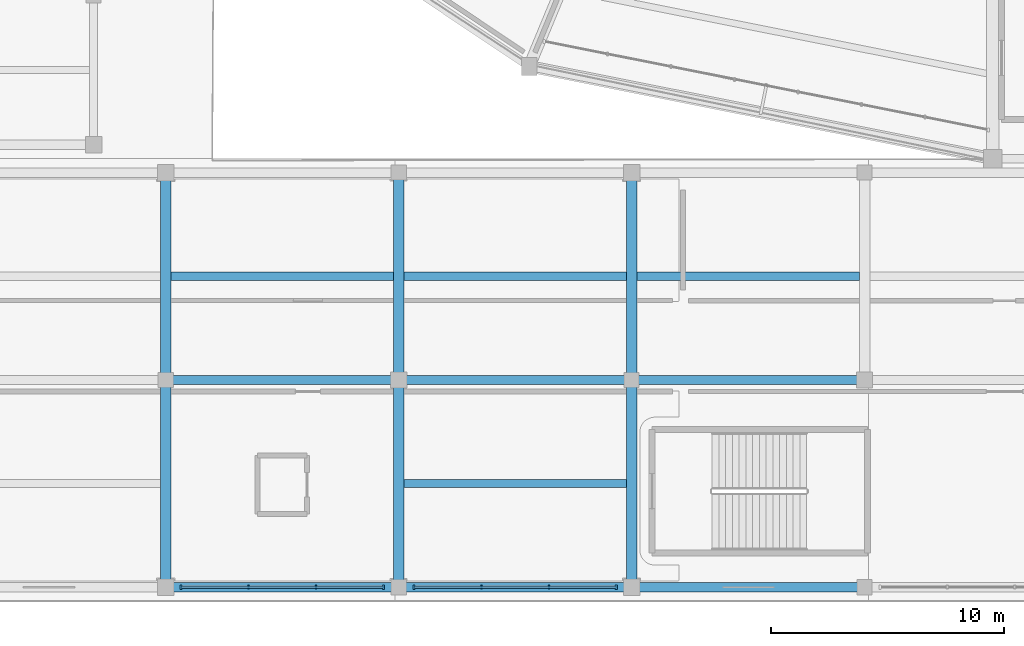
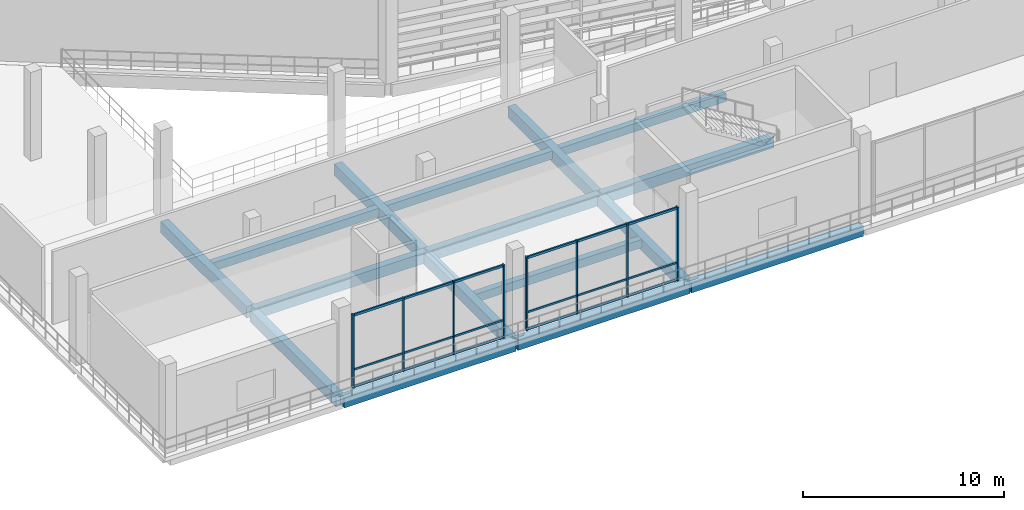
# One storey, part 13 of 127: 16 beams, 14 members, 2 elements without a shape of their own.
"""IFC4 building model written with IfcOpenShell, lengths in metres."""

from ifc_helpers import new_model, si_unit, direction, frame, origin, origin_2d, place, context, subcontext, project, spatial, rectangle, extrude, material, material_profile, profile_set, type_object, element, aggregate, save


model = new_model("IFC4")

# Units and contexts
model_context = context("Model", 3, precision=1e-05, world=origin(), true_north=direction((0.0, 1.0)))
body_context = subcontext(model_context, "Body", "Model", "MODEL_VIEW")
ifc_project = project(units=[si_unit("LENGTHUNIT", "METRE"), si_unit("AREAUNIT", "SQUARE_METRE"), si_unit("VOLUMEUNIT", "CUBIC_METRE"), si_unit("PLANEANGLEUNIT", "RADIAN"), si_unit("MASSUNIT", "GRAM", prefix="KILO")], contexts=[model_context])

# Site, building, storey
site_placement = place(None, origin())
site = spatial("IfcSite", under=ifc_project, at=site_placement, CompositionType="ELEMENT")
building_placement = place(site_placement, origin())
building = spatial("IfcBuilding", under=site, at=building_placement, Name="Candeia Ridge Stadium", CompositionType="ELEMENT")
storey_placement = place(building_placement, frame((0.0, 0.0, 10.800048828125)))
storey = spatial("IfcBuildingStorey", under=building, at=storey_placement, Name="L02", CompositionType="ELEMENT", Elevation=10.800048828125)

# Curtain wall, members
ifc_material_1 = material(Name="Aluminium Anodized Warm Bronze", Category="aluminium")
curtain_wall_type = type_object("IfcCurtainWallType", Name="Museum & Boulevard Showcase Curtain Wall", PredefinedType="NOTDEFINED", material=ifc_material_1)
curtain_wall_1_placement = place(storey_placement, origin())
curtain_wall_1 = element("IfcCurtainWall", 1, at=curtain_wall_1_placement, inside=storey, type_object=curtain_wall_type, Name="Unitised curtain wall CW-WNG-L02-121", PredefinedType="NOTDEFINED")
ifc_material_profile_1 = material_profile(ifc_material_1, rectangle(XDim=0.090087890625, YDim=0.179931640625, at=origin_2d()), Name="CWM-90x180", Category="aluminium")
ifc_profile_set_1 = profile_set([ifc_material_profile_1], Name="Aluminium Anodized Warm Bronze")
member_type_1 = type_object("IfcMemberType", Name="Curtain Wall Primary Mullion 90x180", PredefinedType="MULLION", material=ifc_profile_set_1)
member_1_placement = place(storey_placement, frame((36.159912109375, 0.60009765625, 0.0), z_axis=(0.0, 0.0, 1.0), x_axis=(1.0, 0.0, 0.0)))
member_1 = element("IfcMember", 2, at=member_1_placement, type_object=member_type_1, Name="Curtain wall mullion CW-WNG-L02-121-M0", PredefinedType="MULLION", context=body_context, shape_type="SweptSolid", body=[
    extrude(rectangle(XDim=0.090087890625, YDim=0.179931640625, at=origin_2d()), origin(), (0.0, 0.0, 1.0), 4.48486328125),
])
member_2_placement = place(storey_placement, frame((44.840087890625, 0.60009765625, 0.0), z_axis=(0.0, 0.0, 1.0), x_axis=(1.0, 0.0, 0.0)))
member_2 = element("IfcMember", 3, at=member_2_placement, type_object=member_type_1, Name="Curtain wall mullion CW-WNG-L02-121-M3", PredefinedType="MULLION", context=body_context, shape_type="SweptSolid", body=[
    extrude(rectangle(XDim=0.090087890625, YDim=0.179931640625, at=origin_2d()), origin(), (0.0, 0.0, 1.0), 4.48486328125),
])

curtain_wall_2_placement = place(storey_placement, origin())
curtain_wall_2 = element("IfcCurtainWall", 4, at=curtain_wall_2_placement, inside=storey, type_object=curtain_wall_type, Name="Unitised curtain wall CW-WNG-L02-122", PredefinedType="NOTDEFINED")
member_3_placement = place(storey_placement, frame((46.159912109375, 0.60009765625, 0.0), z_axis=(0.0, 0.0, 1.0), x_axis=(1.0, 0.0, 0.0)))
member_3 = element("IfcMember", 5, at=member_3_placement, type_object=member_type_1, Name="Curtain wall mullion CW-WNG-L02-122-M0", PredefinedType="MULLION", context=body_context, shape_type="SweptSolid", body=[
    extrude(rectangle(XDim=0.090087890625, YDim=0.179931640625, at=origin_2d()), origin(), (0.0, 0.0, 1.0), 4.48486328125),
])
member_4_placement = place(storey_placement, frame((54.840087890625, 0.60009765625, 0.0), z_axis=(0.0, 0.0, 1.0), x_axis=(1.0, 0.0, 0.0)))
member_4 = element("IfcMember", 6, at=member_4_placement, type_object=member_type_1, Name="Curtain wall mullion CW-WNG-L02-122-M3", PredefinedType="MULLION", context=body_context, shape_type="SweptSolid", body=[
    extrude(rectangle(XDim=0.090087890625, YDim=0.179931640625, at=origin_2d()), origin(), (0.0, 0.0, 1.0), 4.48486328125),
])

# Member
ifc_material_profile_2 = material_profile(ifc_material_1, rectangle(XDim=0.074951171875, YDim=0.14990234375, at=origin_2d()), Name="CWM-75x150", Category="aluminium")
ifc_profile_set_2 = profile_set([ifc_material_profile_2], Name="Aluminium Anodized Warm Bronze")
member_type_2 = type_object("IfcMemberType", Name="Curtain Wall Secondary Mullion 75x150", PredefinedType="MULLION", material=ifc_profile_set_2)
member_5_placement = place(storey_placement, frame((39.05322265625, 0.60009765625, 0.0), z_axis=(0.0, 0.0, 1.0), x_axis=(1.0, 0.0, 0.0)))
member_5 = element("IfcMember", 7, at=member_5_placement, type_object=member_type_2, Name="Curtain wall mullion CW-WNG-L02-121-M1", PredefinedType="MULLION", context=body_context, shape_type="SweptSolid", body=[
    extrude(rectangle(XDim=0.074951171875, YDim=0.14990234375, at=origin_2d()), origin(), (0.0, 0.0, 1.0), 4.48486328125),
])

member_6_placement = place(storey_placement, frame((41.94677734375, 0.60009765625, 0.0), z_axis=(0.0, 0.0, 1.0), x_axis=(1.0, 0.0, 0.0)))
member_6 = element("IfcMember", 8, at=member_6_placement, type_object=member_type_2, Name="Curtain wall mullion CW-WNG-L02-121-M2", PredefinedType="MULLION", context=body_context, shape_type="SweptSolid", body=[
    extrude(rectangle(XDim=0.074951171875, YDim=0.14990234375, at=origin_2d()), origin(), (0.0, 0.0, 1.0), 4.48486328125),
])

member_7_placement = place(storey_placement, frame((49.05322265625, 0.60009765625, 0.0), z_axis=(0.0, 0.0, 1.0), x_axis=(1.0, 0.0, 0.0)))
member_7 = element("IfcMember", 9, at=member_7_placement, type_object=member_type_2, Name="Curtain wall mullion CW-WNG-L02-122-M1", PredefinedType="MULLION", context=body_context, shape_type="SweptSolid", body=[
    extrude(rectangle(XDim=0.074951171875, YDim=0.14990234375, at=origin_2d()), origin(), (0.0, 0.0, 1.0), 4.48486328125),
])

member_8_placement = place(storey_placement, frame((51.94677734375, 0.60009765625, 0.0), z_axis=(0.0, 0.0, 1.0), x_axis=(1.0, 0.0, 0.0)))
member_8 = element("IfcMember", 10, at=member_8_placement, type_object=member_type_2, Name="Curtain wall mullion CW-WNG-L02-122-M2", PredefinedType="MULLION", context=body_context, shape_type="SweptSolid", body=[
    extrude(rectangle(XDim=0.074951171875, YDim=0.14990234375, at=origin_2d()), origin(), (0.0, 0.0, 1.0), 4.48486328125),
])

ifc_material_profile_3 = material_profile(ifc_material_1, rectangle(XDim=0.074951171875, YDim=0.110107421875, at=origin_2d()), Name="CWT-75x110", Category="aluminium")
ifc_profile_set_3 = profile_set([ifc_material_profile_3], Name="Aluminium Anodized Warm Bronze")
member_type_3 = type_object("IfcMemberType", Name="Curtain Wall Secondary Transom 75x110", PredefinedType="USERDEFINED", material=ifc_profile_set_3)
member_9_placement = place(storey_placement, frame((36.159912109375, 0.60009765625, 1.099853515625), z_axis=(1.0, 0.0, 0.0), x_axis=(0.0, 1.0, 0.0)))
member_9 = element("IfcMember", 11, at=member_9_placement, type_object=member_type_3, Name="Curtain wall transom CW-WNG-L02-121-T1", ObjectType="TRANSOM", PredefinedType="USERDEFINED", context=body_context, shape_type="SweptSolid", body=[
    extrude(rectangle(XDim=0.074951171875, YDim=0.110107421875, at=origin_2d()), origin(), (0.0, 0.0, 1.0), 8.68017578125),
])

member_10_placement = place(storey_placement, frame((46.159912109375, 0.60009765625, 1.099853515625), z_axis=(1.0, 0.0, 0.0), x_axis=(0.0, 1.0, 0.0)))
member_10 = element("IfcMember", 12, at=member_10_placement, type_object=member_type_3, Name="Curtain wall transom CW-WNG-L02-122-T1", ObjectType="TRANSOM", PredefinedType="USERDEFINED", context=body_context, shape_type="SweptSolid", body=[
    extrude(rectangle(XDim=0.074951171875, YDim=0.110107421875, at=origin_2d()), origin(), (0.0, 0.0, 1.0), 8.68017578125),
])

ifc_material_profile_4 = material_profile(ifc_material_1, rectangle(XDim=0.090087890625, YDim=0.139892578125, at=origin_2d()), Name="CWT-90x140", Category="aluminium")
ifc_profile_set_4 = profile_set([ifc_material_profile_4], Name="Aluminium Anodized Warm Bronze")
member_type_4 = type_object("IfcMemberType", Name="Curtain Wall Transom 90x140", PredefinedType="USERDEFINED", material=ifc_profile_set_4)
member_11_placement = place(storey_placement, frame((36.159912109375, 0.60009765625, 0.070068359375), z_axis=(1.0, 0.0, 0.0), x_axis=(0.0, 1.0, 0.0)))
member_11 = element("IfcMember", 13, at=member_11_placement, type_object=member_type_4, Name="Curtain wall transom CW-WNG-L02-121-T0", ObjectType="TRANSOM", PredefinedType="USERDEFINED", context=body_context, shape_type="SweptSolid", body=[
    extrude(rectangle(XDim=0.090087890625, YDim=0.139892578125, at=origin_2d()), origin(), (0.0, 0.0, 1.0), 8.68017578125),
])

member_12_placement = place(storey_placement, frame((36.159912109375, 0.60009765625, 4.4150390625), z_axis=(1.0, 0.0, 0.0), x_axis=(0.0, 1.0, 0.0)))
member_12 = element("IfcMember", 14, at=member_12_placement, type_object=member_type_4, Name="Curtain wall transom CW-WNG-L02-121-T2", ObjectType="TRANSOM", PredefinedType="USERDEFINED", context=body_context, shape_type="SweptSolid", body=[
    extrude(rectangle(XDim=0.090087890625, YDim=0.139892578125, at=origin_2d()), origin(), (0.0, 0.0, 1.0), 8.68017578125),
])

aggregate(curtain_wall_1, [member_1, member_5, member_6, member_2, member_11, member_9, member_12])

member_13_placement = place(storey_placement, frame((46.159912109375, 0.60009765625, 0.070068359375), z_axis=(1.0, 0.0, 0.0), x_axis=(0.0, 1.0, 0.0)))
member_13 = element("IfcMember", 15, at=member_13_placement, type_object=member_type_4, Name="Curtain wall transom CW-WNG-L02-122-T0", ObjectType="TRANSOM", PredefinedType="USERDEFINED", context=body_context, shape_type="SweptSolid", body=[
    extrude(rectangle(XDim=0.090087890625, YDim=0.139892578125, at=origin_2d()), origin(), (0.0, 0.0, 1.0), 8.68017578125),
])

member_14_placement = place(storey_placement, frame((46.159912109375, 0.60009765625, 4.4150390625), z_axis=(1.0, 0.0, 0.0), x_axis=(0.0, 1.0, 0.0)))
member_14 = element("IfcMember", 16, at=member_14_placement, type_object=member_type_4, Name="Curtain wall transom CW-WNG-L02-122-T2", ObjectType="TRANSOM", PredefinedType="USERDEFINED", context=body_context, shape_type="SweptSolid", body=[
    extrude(rectangle(XDim=0.090087890625, YDim=0.139892578125, at=origin_2d()), origin(), (0.0, 0.0, 1.0), 8.68017578125),
])

aggregate(curtain_wall_2, [member_3, member_7, member_8, member_4, member_13, member_10, member_14])

# Beams
ifc_material_2 = material(Name="Concrete C40/50", Category="concrete")
ifc_material_profile_5 = material_profile(ifc_material_2, rectangle(XDim=0.35009765625, YDim=0.5, at=origin_2d()), Name="RC350x500", Category="concrete")
ifc_profile_set_5 = profile_set([ifc_material_profile_5], Name="Concrete C40/50")
beam_type_1 = type_object("IfcBeamType", Name="Floor Joist RC350x500", PredefinedType="JOIST", material=ifc_profile_set_5)
for number, where, z_axis, x_axis, name in (
    (17, (35.724609375, 13.949951171875, -0.510009765625), (1.0, 0.0, 0.0), (0.0, 1.0, 0.0), "Wing secondary joist BM-L02-2128"),
    (18, (45.724609375, 5.050048828125, -0.510009765625), (1.0, 0.0, 0.0), (0.0, 1.0, 0.0), "Wing secondary joist BM-L02-2131"),
    (19, (45.724609375, 13.949951171875, -0.510009765625), (1.0, 0.0, 0.0), (0.0, 1.0, 0.0), "Wing secondary joist BM-L02-2133"),
    (20, (55.724609375, 13.949951171875, -0.510009765625), (1.0, 0.0, 0.0), (0.0, 1.0, 0.0), "Wing secondary joist BM-L02-2137"),
):
    element("IfcBeam", number, at=place(storey_placement, frame(where, z_axis=z_axis, x_axis=x_axis)), inside=storey, type_object=beam_type_1, Name=name, PredefinedType="JOIST", context=body_context, shape_type="SweptSolid", body=[
        extrude(rectangle(XDim=0.35009765625, YDim=0.5, at=origin_2d()), origin(), (0.0, 0.0, 1.0), 9.55078125),
    ])
ifc_material_profile_6 = material_profile(ifc_material_2, rectangle(XDim=0.449951171875, YDim=0.699951171875, at=origin_2d()), Name="RC450x700", Category="concrete")
ifc_profile_set_6 = profile_set([ifc_material_profile_6], Name="Concrete C40/50")
beam_type_2 = type_object("IfcBeamType", Name="Frame Girder RC450x700", PredefinedType="BEAM", material=ifc_profile_set_6)
for number, where, z_axis, x_axis, name in (
    (21, (35.5, 0.760009765625, -0.610107421875), (0.0, 1.0, 0.0), (-1.0, 0.0, 0.0), "Structural girder BM-L02-2110"),
    (22, (35.5, 9.659912109375, -0.610107421875), (0.0, 1.0, 0.0), (-1.0, 0.0, 0.0), "Structural girder BM-L02-2111"),
    (23, (45.5, 0.760009765625, -0.610107421875), (0.0, 1.0, 0.0), (-1.0, 0.0, 0.0), "Structural girder BM-L02-2112"),
    (24, (45.5, 9.659912109375, -0.610107421875), (0.0, 1.0, 0.0), (-1.0, 0.0, 0.0), "Structural girder BM-L02-2113"),
    (25, (55.5, 0.760009765625, -0.610107421875), (0.0, 1.0, 0.0), (-1.0, 0.0, 0.0), "Structural girder BM-L02-2114"),
    (26, (55.5, 9.659912109375, -0.610107421875), (0.0, 1.0, 0.0), (-1.0, 0.0, 0.0), "Structural girder BM-L02-2115"),
):
    element("IfcBeam", number, at=place(storey_placement, frame(where, z_axis=z_axis, x_axis=x_axis)), inside=storey, type_object=beam_type_2, Name=name, PredefinedType="BEAM", context=body_context, shape_type="SweptSolid", body=[
        extrude(rectangle(XDim=0.449951171875, YDim=0.699951171875, at=origin_2d()), origin(), (0.0, 0.0, 1.0), 8.580078125),
    ])
ifc_material_profile_7 = material_profile(ifc_material_2, rectangle(XDim=0.39990234375, YDim=0.64990234375, at=origin_2d()), Name="RC400x650", Category="concrete")
ifc_profile_set_7 = profile_set([ifc_material_profile_7], Name="Concrete C40/50")
beam_type_3 = type_object("IfcBeamType", Name="Wing Primary Girder RC400x650", PredefinedType="BEAM", material=ifc_profile_set_7)
for number, where, z_axis, x_axis, name in (
    (27, (35.550048828125, 0.60009765625, -0.5849609375), (1.0, 0.0, 0.0), (0.0, 1.0, 0.0), "Structural girder BM-L02-2126"),
    (28, (35.550048828125, 9.5, -0.5849609375), (1.0, 0.0, 0.0), (0.0, 1.0, 0.0), "Structural girder BM-L02-2127"),
    (29, (45.550048828125, 0.60009765625, -0.5849609375), (1.0, 0.0, 0.0), (0.0, 1.0, 0.0), "Structural girder BM-L02-2130"),
    (30, (45.550048828125, 9.5, -0.5849609375), (1.0, 0.0, 0.0), (0.0, 1.0, 0.0), "Structural girder BM-L02-2132"),
    (31, (55.550048828125, 0.60009765625, -0.5849609375), (1.0, 0.0, 0.0), (0.0, 1.0, 0.0), "Structural girder BM-L02-2135"),
    (32, (55.550048828125, 9.5, -0.5849609375), (1.0, 0.0, 0.0), (0.0, 1.0, 0.0), "Structural girder BM-L02-2136"),
):
    element("IfcBeam", number, at=place(storey_placement, frame(where, z_axis=z_axis, x_axis=x_axis)), inside=storey, type_object=beam_type_3, Name=name, PredefinedType="BEAM", context=body_context, shape_type="SweptSolid", body=[
        extrude(rectangle(XDim=0.39990234375, YDim=0.64990234375, at=origin_2d()), origin(), (0.0, 0.0, 1.0), 9.89990234375),
    ])

save(model, "model.ifc")
